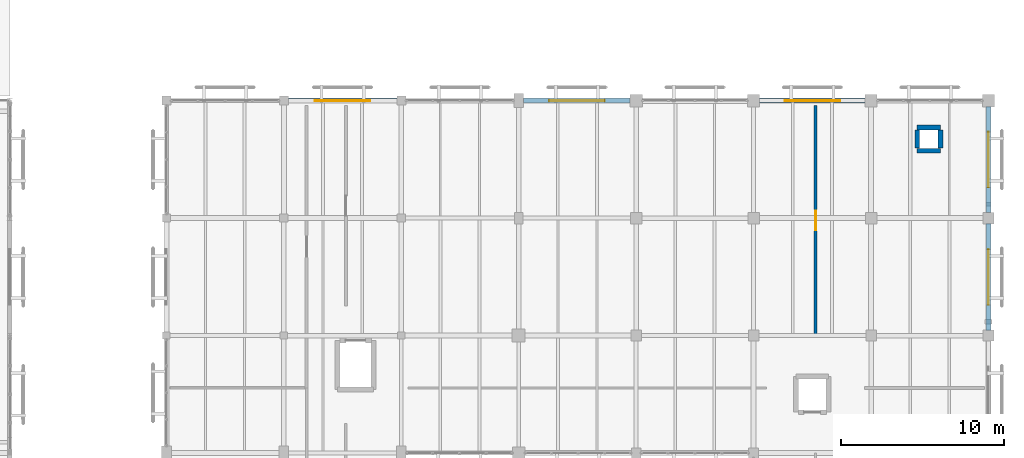
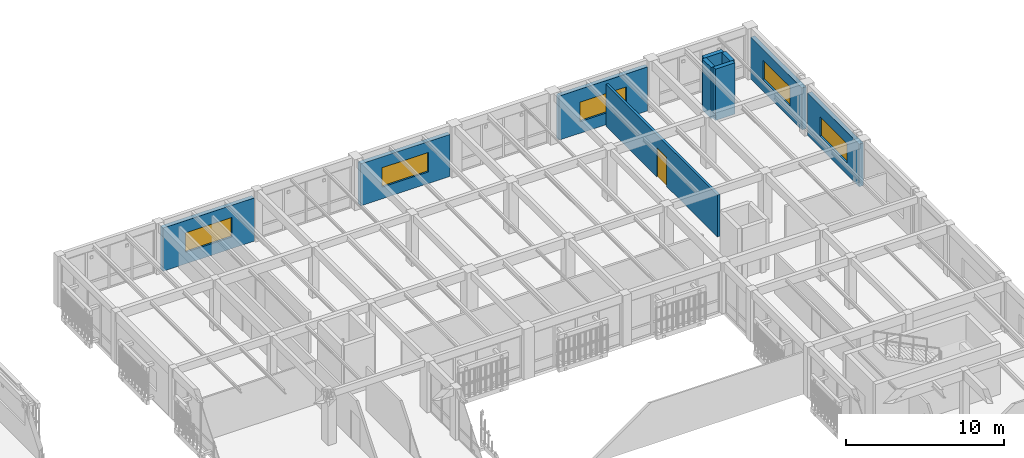
# One storey, part 140 of 170: 10 walls, 5 windows, 1 door, 6 openings.
"""IFC4 building model written with IfcOpenShell, lengths in metres."""

from ifc_helpers import new_model, si_unit, direction, frame, frame_2d, origin, place, context, subcontext, project, spatial, rectangle, extrude, material, layer, layer_set, type_object, element, fill, save


model = new_model("IFC4")

# Units and contexts
model_context = context("Model", 3, precision=1e-05, world=origin(), true_north=direction((0.0, 1.0)))
body_context = subcontext(model_context, "Body", "Model", "MODEL_VIEW")
ifc_project = project(units=[si_unit("LENGTHUNIT", "METRE"), si_unit("AREAUNIT", "SQUARE_METRE"), si_unit("VOLUMEUNIT", "CUBIC_METRE"), si_unit("PLANEANGLEUNIT", "RADIAN"), si_unit("MASSUNIT", "GRAM", prefix="KILO")], contexts=[model_context])

# Site, building, storey
site_placement = place(None, origin())
site = spatial("IfcSite", under=ifc_project, at=site_placement, CompositionType="ELEMENT")
building_placement = place(site_placement, origin())
building = spatial("IfcBuilding", under=site, at=building_placement, Name="Mazaris Harbour Polytechnic", CompositionType="ELEMENT")
storey_placement = place(building_placement, frame((0.0, 0.0, 5.39990234375)))
storey = spatial("IfcBuildingStorey", under=building, at=storey_placement, Name="L01", CompositionType="ELEMENT", Elevation=5.39990234375)

# Wall, opening, door
ifc_material_1 = material(Name="Terracotta Block and Plaster", Category="masonry")
ifc_layer_1 = layer(ifc_material_1, 0.179931640625, Name="Terracotta Block and Plaster")
ifc_layer_set_1 = layer_set([ifc_layer_1], Name="Terracotta Block and Plaster")
wall_type_1 = type_object("IfcWallType", Name="Corridor Fire Partition 180", PredefinedType="PARTITIONING", material=ifc_layer_set_1)
wall_1_placement = place(storey_placement, frame((162.199951171875, 93.60498046875, 0.0), z_axis=(0.0, 0.0, 1.0), x_axis=(0.0, 1.0, 0.0)))
wall_1 = element("IfcWall", 1, at=wall_1_placement, inside=storey, type_object=wall_type_1, Name="V5 L01 Partition 599", PredefinedType="PARTITIONING", context=body_context, shape_type="SweptSolid", body=[
    extrude(rectangle(XDim=14.094970703125, YDim=0.179931640625, at=frame_2d((7.04736328125, 0.0))), origin(), (0.0, 0.0, 1.0), 3.239990234375),
])
opening_1_placement = place(wall_1_placement, frame((6.4375, 0.0, 0.0)))
opening_1 = element("IfcOpeningElement", 2, at=opening_1_placement, cuts=wall_1, Name="Opening ID-10L", PredefinedType="OPENING", context=body_context, shape_type="SweptSolid", body=[
    extrude(rectangle(XDim=1.219970703125, YDim=2.25, at=frame_2d((0.60986328125, 1.125))), frame((0.0, 0.099853515625, 0.0), z_axis=(0.0, -1.0, 0.0), x_axis=(1.0, 0.0, 0.0)), (0.0, 0.0, 1.0), 0.199951171875),
])
ifc_material_2 = material(Name="Glulam Timber and Glass", Category="wood")
door_type = type_object("IfcDoorType", Name="Library Commons Door LH 1220x2250", OperationType="SINGLE_SWING_LEFT", PredefinedType="DOOR", material=ifc_material_2)
door_placement = place(opening_1_placement, origin())
door = element("IfcDoor", 3, at=door_placement, inside=storey, type_object=door_type, Name="ID-0290", OperationType="SINGLE_SWING_LEFT", OverallHeight=2.25, OverallWidth=1.219970703125, PredefinedType="DOOR", context=body_context, shape_type="SweptSolid", body=[
    extrude(rectangle(XDim=1.219970703125, YDim=2.25, at=frame_2d((0.60986328125, 1.125))), frame((0.0, 0.02490234375, 0.0), z_axis=(0.0, -1.0, 0.0), x_axis=(1.0, 0.0, 0.0)), (0.0, 0.0, 1.0), 0.050048828125),
])
fill(opening_1, door)

# Wall, opening, window
ifc_material_3 = material(Name="Algerian Buff Limestone and Mineral Wool", Category="masonry")
ifc_layer_2 = layer(ifc_material_3, 0.31005859375, Name="Algerian Buff Limestone and Mineral Wool")
ifc_layer_set_2 = layer_set([ifc_layer_2], Name="Algerian Buff Limestone and Mineral Wool")
wall_type_2 = type_object("IfcWallType", Name="Limestone Studio Wall 310", PredefinedType="STANDARD", material=ifc_layer_set_2)
wall_2_placement = place(storey_placement, frame((129.866943359375, 108.0, 0.0), z_axis=(0.0, 0.0, 1.0), x_axis=(1.0, 0.0, 0.0)))
wall_2 = element("IfcWall", 4, at=wall_2_placement, inside=storey, type_object=wall_type_2, Name="V5 L01 Exterior Wall 317", PredefinedType="STANDARD", context=body_context, shape_type="SweptSolid", body=[
    extrude(rectangle(XDim=6.666015625, YDim=0.31005859375, at=frame_2d((3.3330078125, 0.0))), origin(), (0.0, 0.0, 1.0), 3.340087890625),
])
opening_2_placement = place(wall_2_placement, frame((1.633056640625, 0.0, 0.89990234375)))
opening_2 = element("IfcOpeningElement", 5, at=opening_2_placement, cuts=wall_2, Name="Opening WN-16", PredefinedType="OPENING", context=body_context, shape_type="SweptSolid", body=[
    extrude(rectangle(XDim=3.39990234375, YDim=1.5, at=frame_2d((1.699951171875, 0.75))), frame((0.0, 0.1650390625, 0.0), z_axis=(0.0, -1.0, 0.0), x_axis=(1.0, 0.0, 0.0)), (0.0, 0.0, 1.0), 0.330078125),
])
ifc_material_4 = material(Name="Thermally Broken Bronze Aluminium and Low-E Glass", Category="aluminium")
window_type = type_object("IfcWindowType", Name="Workshop Clerestory Ribbon 3400x1500", PartitioningType="DOUBLE_PANEL_VERTICAL", PredefinedType="WINDOW", material=ifc_material_4)
window_1_placement = place(opening_2_placement, origin())
window_1 = element("IfcWindow", 6, at=window_1_placement, inside=storey, type_object=window_type, Name="WN-0370", OverallHeight=1.5, OverallWidth=3.39990234375, PartitioningType="DOUBLE_PANEL_VERTICAL", PredefinedType="WINDOW", context=body_context, shape_type="SweptSolid", body=[
    extrude(rectangle(XDim=3.39990234375, YDim=1.5, at=frame_2d((1.699951171875, 0.75))), frame((0.0, 0.030029296875, 0.0), z_axis=(0.0, -1.0, 0.0), x_axis=(1.0, 0.0, 0.0)), (0.0, 0.0, 1.0), 0.06005859375),
])
fill(opening_2, window_1)

wall_3_placement = place(storey_placement, frame((144.2919921875, 108.0, 0.0), z_axis=(0.0, 0.0, 1.0), x_axis=(1.0, 0.0, 0.0)))
wall_3 = element("IfcWall", 7, at=wall_3_placement, inside=storey, type_object=wall_type_2, Name="V5 L01 Exterior Wall 318", PredefinedType="STANDARD", context=body_context, shape_type="SweptSolid", body=[
    extrude(rectangle(XDim=6.541015625, YDim=0.31005859375, at=frame_2d((3.2705078125, 0.0))), origin(), (0.0, 0.0, 1.0), 3.239990234375),
])
opening_3_placement = place(wall_3_placement, frame((1.570556640625, 0.0, 0.89990234375)))
opening_3 = element("IfcOpeningElement", 8, at=opening_3_placement, cuts=wall_3, Name="Opening WN-16", PredefinedType="OPENING", context=body_context, shape_type="SweptSolid", body=[
    extrude(rectangle(XDim=3.39990234375, YDim=1.5, at=frame_2d((1.699951171875, 0.75))), frame((0.0, 0.1650390625, 0.0), z_axis=(0.0, -1.0, 0.0), x_axis=(1.0, 0.0, 0.0)), (0.0, 0.0, 1.0), 0.330078125),
])
window_2_placement = place(opening_3_placement, origin())
window_2 = element("IfcWindow", 9, at=window_2_placement, inside=storey, type_object=window_type, Name="WN-0371", OverallHeight=1.5, OverallWidth=3.39990234375, PartitioningType="DOUBLE_PANEL_VERTICAL", PredefinedType="WINDOW", context=body_context, shape_type="SweptSolid", body=[
    extrude(rectangle(XDim=3.39990234375, YDim=1.5, at=frame_2d((1.699951171875, 0.75))), frame((0.0, 0.030029296875, 0.0), z_axis=(0.0, -1.0, 0.0), x_axis=(1.0, 0.0, 0.0)), (0.0, 0.0, 1.0), 0.06005859375),
])
fill(opening_3, window_2)

wall_4_placement = place(storey_placement, frame((158.76708984375, 108.0, 0.0), z_axis=(0.0, 0.0, 1.0), x_axis=(1.0, 0.0, 0.0)))
wall_4 = element("IfcWall", 10, at=wall_4_placement, inside=storey, type_object=wall_type_2, Name="V5 L01 Exterior Wall 319", PredefinedType="STANDARD", context=body_context, shape_type="SweptSolid", body=[
    extrude(rectangle(XDim=6.4658203125, YDim=0.31005859375, at=frame_2d((3.23291015625, 0.0))), origin(), (0.0, 0.0, 1.0), 3.400146484375),
])
opening_4_placement = place(wall_4_placement, frame((1.532958984375, 0.0, 0.89990234375)))
opening_4 = element("IfcOpeningElement", 11, at=opening_4_placement, cuts=wall_4, Name="Opening WN-16", PredefinedType="OPENING", context=body_context, shape_type="SweptSolid", body=[
    extrude(rectangle(XDim=3.39990234375, YDim=1.5, at=frame_2d((1.699951171875, 0.75))), frame((0.0, 0.1650390625, 0.0), z_axis=(0.0, -1.0, 0.0), x_axis=(1.0, 0.0, 0.0)), (0.0, 0.0, 1.0), 0.330078125),
])
window_3_placement = place(opening_4_placement, origin())
window_3 = element("IfcWindow", 12, at=window_3_placement, inside=storey, type_object=window_type, Name="WN-0372", OverallHeight=1.5, OverallWidth=3.39990234375, PartitioningType="DOUBLE_PANEL_VERTICAL", PredefinedType="WINDOW", context=body_context, shape_type="SweptSolid", body=[
    extrude(rectangle(XDim=3.39990234375, YDim=1.5, at=frame_2d((1.699951171875, 0.75))), frame((0.0, 0.030029296875, 0.0), z_axis=(0.0, -1.0, 0.0), x_axis=(1.0, 0.0, 0.0)), (0.0, 0.0, 1.0), 0.06005859375),
])
fill(opening_4, window_3)

wall_5_placement = place(storey_placement, frame((172.800048828125, 100.4580078125, 0.0), z_axis=(0.0, 0.0, 1.0), x_axis=(0.0, -1.0, 0.0)))
wall_5 = element("IfcWall", 13, at=wall_5_placement, inside=storey, type_object=wall_type_2, Name="V5 L01 Exterior Wall 331", PredefinedType="STANDARD", context=body_context, shape_type="SweptSolid", body=[
    extrude(rectangle(XDim=6.541015625, YDim=0.31005859375, at=frame_2d((3.2705078125, 0.0))), origin(), (0.0, 0.0, 1.0), 3.280029296875),
])
opening_5_placement = place(wall_5_placement, frame((1.570556640625, 0.0, 0.89990234375)))
opening_5 = element("IfcOpeningElement", 14, at=opening_5_placement, cuts=wall_5, Name="Opening WN-16", PredefinedType="OPENING", context=body_context, shape_type="SweptSolid", body=[
    extrude(rectangle(XDim=3.39990234375, YDim=1.5, at=frame_2d((1.699951171875, 0.75))), frame((0.0, 0.1650390625, 0.0), z_axis=(0.0, -1.0, 0.0), x_axis=(1.0, 0.0, 0.0)), (0.0, 0.0, 1.0), 0.330078125),
])
window_4_placement = place(opening_5_placement, origin())
window_4 = element("IfcWindow", 15, at=window_4_placement, inside=storey, type_object=window_type, Name="WN-0382", OverallHeight=1.5, OverallWidth=3.39990234375, PartitioningType="DOUBLE_PANEL_VERTICAL", PredefinedType="WINDOW", context=body_context, shape_type="SweptSolid", body=[
    extrude(rectangle(XDim=3.39990234375, YDim=1.5, at=frame_2d((1.699951171875, 0.75))), frame((0.0, 0.030029296875, 0.0), z_axis=(0.0, -1.0, 0.0), x_axis=(1.0, 0.0, 0.0)), (0.0, 0.0, 1.0), 0.06005859375),
])
fill(opening_5, window_4)

wall_6_placement = place(storey_placement, frame((172.800048828125, 107.633056640625, 0.0), z_axis=(0.0, 0.0, 1.0), x_axis=(0.0, -1.0, 0.0)))
wall_6 = element("IfcWall", 16, at=wall_6_placement, inside=storey, type_object=wall_type_2, Name="V5 L01 Exterior Wall 332", PredefinedType="STANDARD", context=body_context, shape_type="SweptSolid", body=[
    extrude(rectangle(XDim=6.490966796875, YDim=0.31005859375, at=frame_2d((3.24560546875, 0.0))), origin(), (0.0, 0.0, 1.0), 3.239990234375),
])
opening_6_placement = place(wall_6_placement, frame((1.54541015625, 0.0, 0.89990234375)))
opening_6 = element("IfcOpeningElement", 17, at=opening_6_placement, cuts=wall_6, Name="Opening WN-16", PredefinedType="OPENING", context=body_context, shape_type="SweptSolid", body=[
    extrude(rectangle(XDim=3.39990234375, YDim=1.5, at=frame_2d((1.699951171875, 0.75))), frame((0.0, 0.1650390625, 0.0), z_axis=(0.0, -1.0, 0.0), x_axis=(1.0, 0.0, 0.0)), (0.0, 0.0, 1.0), 0.330078125),
])
window_5_placement = place(opening_6_placement, origin())
window_5 = element("IfcWindow", 18, at=window_5_placement, inside=storey, type_object=window_type, Name="WN-0383", OverallHeight=1.5, OverallWidth=3.39990234375, PartitioningType="DOUBLE_PANEL_VERTICAL", PredefinedType="WINDOW", context=body_context, shape_type="SweptSolid", body=[
    extrude(rectangle(XDim=3.39990234375, YDim=1.5, at=frame_2d((1.699951171875, 0.75))), frame((0.0, 0.030029296875, 0.0), z_axis=(0.0, -1.0, 0.0), x_axis=(1.0, 0.0, 0.0)), (0.0, 0.0, 1.0), 0.06005859375),
])
fill(opening_6, window_5)

# Walls
ifc_material_5 = material(Name="Concrete C40/50", Category="concrete")
ifc_layer_3 = layer(ifc_material_5, 0.300048828125, Name="Concrete C40/50")
ifc_layer_set_3 = layer_set([ifc_layer_3], Name="Concrete C40/50")
wall_type_3 = type_object("IfcWallType", Name="RC Lift Shaft Wall 300", PredefinedType="SHEAR", material=ifc_layer_set_3)
wall_7_placement = place(storey_placement, frame((168.429931640625, 104.929931640625, 0.0), z_axis=(0.0, 0.0, 1.0), x_axis=(1.0, 0.0, 0.0)))
element("IfcWall", 19, at=wall_7_placement, inside=storey, type_object=wall_type_3, Name="V5 L01 Riser Enclosure Wall 2-1", PredefinedType="SHEAR", context=body_context, shape_type="SweptSolid", body=[
    extrude(rectangle(XDim=1.420166015625, YDim=0.300048828125, at=frame_2d((0.7099609375, 0.0))), origin(), (0.0, 0.0, 1.0), 3.960205078125),
])
wall_8_placement = place(storey_placement, frame((169.85009765625, 105.090087890625, 0.0), z_axis=(0.0, 0.0, 1.0), x_axis=(0.0, 1.0, 0.0)))
element("IfcWall", 20, at=wall_8_placement, inside=storey, type_object=wall_type_3, Name="V5 L01 Riser Enclosure Wall 2-2", PredefinedType="SHEAR", context=body_context, shape_type="SweptSolid", body=[
    extrude(rectangle(XDim=1.099853515625, YDim=0.300048828125, at=frame_2d((0.5498046875, 0.0))), origin(), (0.0, 0.0, 1.0), 3.960205078125),
])
wall_9_placement = place(storey_placement, frame((169.85009765625, 106.35009765625, 0.0), z_axis=(0.0, 0.0, 1.0), x_axis=(-1.0, 0.0, 0.0)))
element("IfcWall", 21, at=wall_9_placement, inside=storey, type_object=wall_type_3, Name="V5 L01 Riser Enclosure Wall 2-3", PredefinedType="SHEAR", context=body_context, shape_type="SweptSolid", body=[
    extrude(rectangle(XDim=1.420166015625, YDim=0.300048828125, at=frame_2d((0.7099609375, 0.0))), origin(), (0.0, 0.0, 1.0), 3.960205078125),
])
wall_10_placement = place(storey_placement, frame((168.429931640625, 106.18994140625, 0.0), z_axis=(0.0, 0.0, 1.0), x_axis=(0.0, -1.0, 0.0)))
element("IfcWall", 22, at=wall_10_placement, inside=storey, type_object=wall_type_3, Name="V5 L01 Riser Enclosure Wall 2-4", PredefinedType="SHEAR", context=body_context, shape_type="SweptSolid", body=[
    extrude(rectangle(XDim=1.099853515625, YDim=0.300048828125, at=frame_2d((0.5498046875, 0.0))), origin(), (0.0, 0.0, 1.0), 3.960205078125),
])

save(model, "model.ifc")
